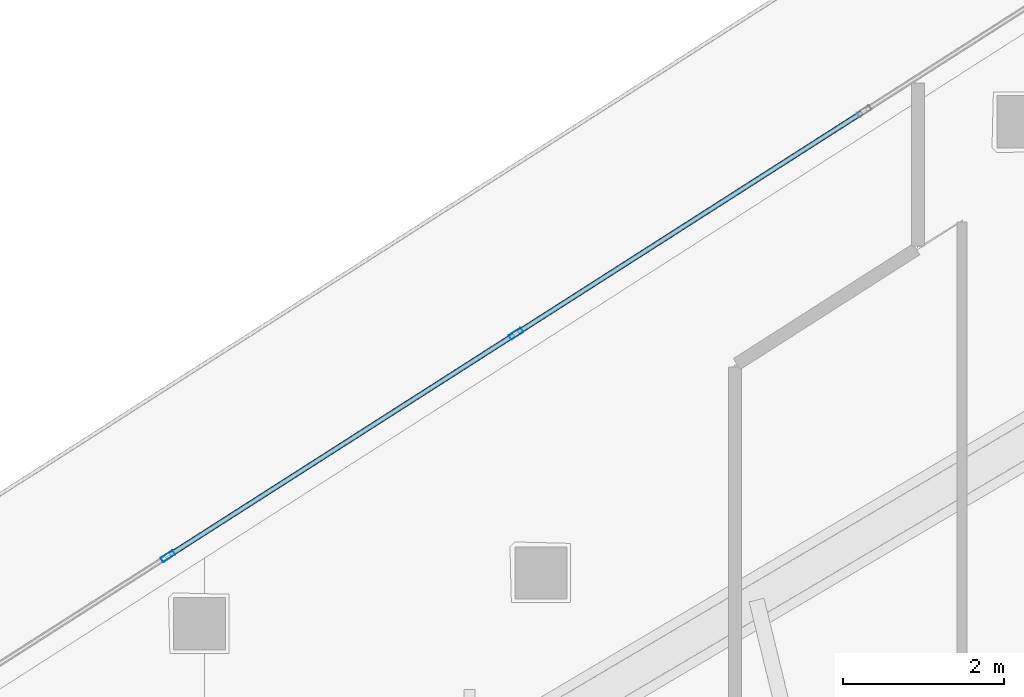
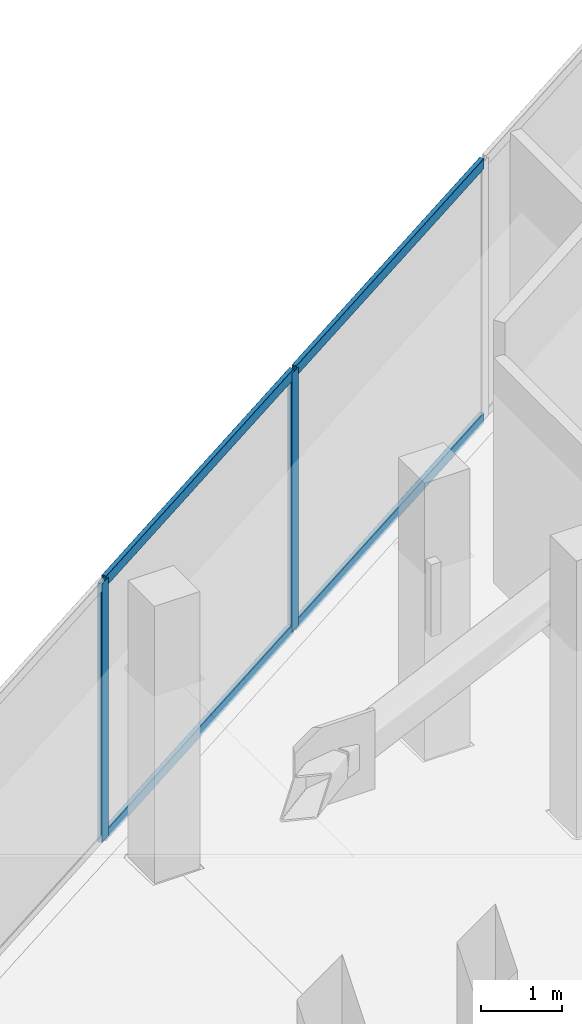
# One storey, part 22 of 52: 6 members, 1 element without a shape of its own.
"""IFC4 building model written with IfcOpenShell, lengths in metres."""

from ifc_helpers import new_model, si_unit, direction, frame, origin, origin_2d, place, context, subcontext, project, spatial, hollow_rectangle, extrude, material, layer, layer_set, material_profile, profile_set, type_object, element, aggregate, save


model = new_model("IFC4")

# Units and contexts
model_context = context("Model", 3, precision=1e-05, world=origin(), true_north=direction((0.0, 1.0)))
body_context = subcontext(model_context, "Body", "Model", "MODEL_VIEW")
ifc_project = project(units=[si_unit("LENGTHUNIT", "METRE"), si_unit("AREAUNIT", "SQUARE_METRE"), si_unit("VOLUMEUNIT", "CUBIC_METRE"), si_unit("PLANEANGLEUNIT", "RADIAN"), si_unit("MASSUNIT", "GRAM", prefix="KILO")], contexts=[model_context])

# Site, building, storey
site_placement = place(None, origin())
site = spatial("IfcSite", under=ifc_project, at=site_placement, CompositionType="ELEMENT")
building_placement = place(site_placement, origin())
building = spatial("IfcBuilding", under=site, at=building_placement, Name="Qorvath Tower", CompositionType="ELEMENT")
storey_placement = place(building_placement, frame((0.0, 0.0, 61.800048828125)))
storey = spatial("IfcBuildingStorey", under=building, at=storey_placement, Name="L13", CompositionType="ELEMENT", Elevation=61.800048828125)

# Curtain wall, members
ifc_material_1 = material(Name="Anodised aluminium and triple low-E glass", Category="aluminium")
ifc_layer = layer(ifc_material_1, 0.179931640625)
ifc_layer_set = layer_set([ifc_layer], Name="CW-SYS-2")
curtain_wall_type = type_object("IfcCurtainWallType", Name="CW-SYS-2", PredefinedType="NOTDEFINED", material=ifc_layer_set)
curtain_wall_placement = place(storey_placement, origin())
curtain_wall = element("IfcCurtainWall", 1, at=curtain_wall_placement, inside=storey, type_object=curtain_wall_type, Name="Curtain Wall CW-2 CW-T-L13-16.2", PredefinedType="NOTDEFINED")
ifc_material_2 = material(Name="Anodised aluminium 6063-T6", Category="aluminium")
ifc_material_profile_1 = material_profile(ifc_material_2, hollow_rectangle(XDim=0.06494140625, YDim=0.179931640625, WallThickness=0.00341796875, InnerFilletRadius=0.00341796875, OuterFilletRadius=0.007080078125, at=origin_2d()), Name="CWM 180x65")
ifc_profile_set_1 = profile_set([ifc_material_profile_1], Name="Anodised aluminium 6063-T6")
member_type_1 = type_object("IfcMemberType", Name="CWM-180", PredefinedType="MULLION", material=ifc_profile_set_1)
member_1_placement = place(storey_placement, frame((-31.325439453125, 22.428955078125, 0.0), z_axis=(0.0, 0.0, 1.0), x_axis=(0.538539451152, -0.842600296435, 0.0)))
member_1 = element("IfcMember", 2, at=member_1_placement, type_object=member_type_1, Name="CW-2 mullion 4", PredefinedType="MULLION", context=body_context, shape_type="SweptSolid", body=[
    extrude(hollow_rectangle(XDim=0.06494140625, YDim=0.179931640625, WallThickness=0.00341796875, InnerFilletRadius=0.00341796875, OuterFilletRadius=0.007080078125, at=origin_2d()), origin(), (0.0, 0.0, 1.0), 3.919921875),
])
member_2_placement = place(storey_placement, frame((-35.64404296875, 19.668701171875, 0.0), z_axis=(0.0, 0.0, 1.0), x_axis=(0.538539451152, -0.842600296435, 0.0)))
member_2 = element("IfcMember", 3, at=member_2_placement, type_object=member_type_1, Name="CW-2 mullion 5", PredefinedType="MULLION", context=body_context, shape_type="SweptSolid", body=[
    extrude(hollow_rectangle(XDim=0.06494140625, YDim=0.179931640625, WallThickness=0.00341796875, InnerFilletRadius=0.00341796875, OuterFilletRadius=0.007080078125, at=origin_2d()), origin(), (0.0, 0.0, 1.0), 3.919921875),
])
ifc_material_3 = material(Name="Anodised aluminium 6063-T6", Category="aluminium")
ifc_material_profile_2 = material_profile(ifc_material_3, hollow_rectangle(XDim=0.06494140625, YDim=0.159912109375, WallThickness=0.00341796875, InnerFilletRadius=0.00341796875, OuterFilletRadius=0.007080078125, at=origin_2d()), Name="CWT 160x65")
ifc_profile_set_2 = profile_set([ifc_material_profile_2], Name="Anodised aluminium 6063-T6")
member_type_2 = type_object("IfcMemberType", Name="CWT-160", PredefinedType="USERDEFINED", material=ifc_profile_set_2)
member_3_placement = place(storey_placement, frame((-27.034423828125, 25.17138671875, 0.032470703125), z_axis=(-0.842598957411, -0.538541546188, 0.0), x_axis=(0.538541546188, -0.842598957411, 0.0)))
member_3 = element("IfcMember", 4, at=member_3_placement, type_object=member_type_2, Name="CW-2 transom 3.1", ObjectType="TRANSOM", PredefinedType="USERDEFINED", context=body_context, shape_type="SweptSolid", body=[
    extrude(hollow_rectangle(XDim=0.06494140625, YDim=0.159912109375, WallThickness=0.00341796875, InnerFilletRadius=0.00341796875, OuterFilletRadius=0.007080078125, at=origin_2d()), origin(), (0.0, 0.0, 1.0), 5.06005859375),
])
member_4_placement = place(storey_placement, frame((-27.034423828125, 25.17138671875, 3.887451171875), z_axis=(-0.842598957411, -0.538541546188, 0.0), x_axis=(0.538541546188, -0.842598957411, 0.0)))
member_4 = element("IfcMember", 5, at=member_4_placement, type_object=member_type_2, Name="CW-2 transom 3.2", ObjectType="TRANSOM", PredefinedType="USERDEFINED", context=body_context, shape_type="SweptSolid", body=[
    extrude(hollow_rectangle(XDim=0.06494140625, YDim=0.159912109375, WallThickness=0.00341796875, InnerFilletRadius=0.00341796875, OuterFilletRadius=0.007080078125, at=origin_2d()), origin(), (0.0, 0.0, 1.0), 5.06005859375),
])
member_5_placement = place(storey_placement, frame((-31.352783203125, 22.411376953125, 0.032470703125), z_axis=(-0.842598957411, -0.538541546188, 0.0), x_axis=(0.538541546188, -0.842598957411, 0.0)))
member_5 = element("IfcMember", 6, at=member_5_placement, type_object=member_type_2, Name="CW-2 transom 4.1", ObjectType="TRANSOM", PredefinedType="USERDEFINED", context=body_context, shape_type="SweptSolid", body=[
    extrude(hollow_rectangle(XDim=0.06494140625, YDim=0.159912109375, WallThickness=0.00341796875, InnerFilletRadius=0.00341796875, OuterFilletRadius=0.007080078125, at=origin_2d()), origin(), (0.0, 0.0, 1.0), 5.06005859375),
])
member_6_placement = place(storey_placement, frame((-31.352783203125, 22.411376953125, 3.887451171875), z_axis=(-0.842598957411, -0.538541546188, 0.0), x_axis=(0.538541546188, -0.842598957411, 0.0)))
member_6 = element("IfcMember", 7, at=member_6_placement, type_object=member_type_2, Name="CW-2 transom 4.2", ObjectType="TRANSOM", PredefinedType="USERDEFINED", context=body_context, shape_type="SweptSolid", body=[
    extrude(hollow_rectangle(XDim=0.06494140625, YDim=0.159912109375, WallThickness=0.00341796875, InnerFilletRadius=0.00341796875, OuterFilletRadius=0.007080078125, at=origin_2d()), origin(), (0.0, 0.0, 1.0), 5.06005859375),
])
aggregate(curtain_wall, [member_1, member_2, member_3, member_4, member_5, member_6])

save(model, "model.ifc")
